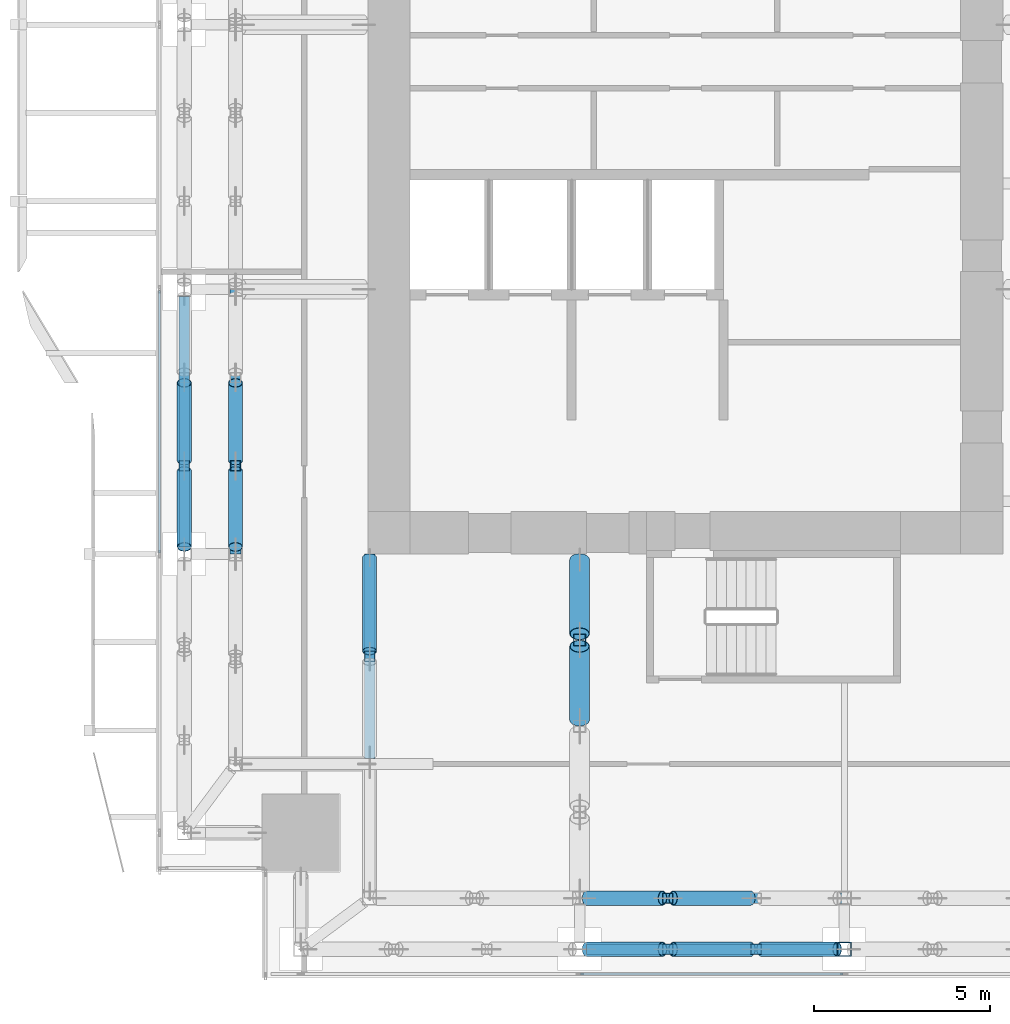
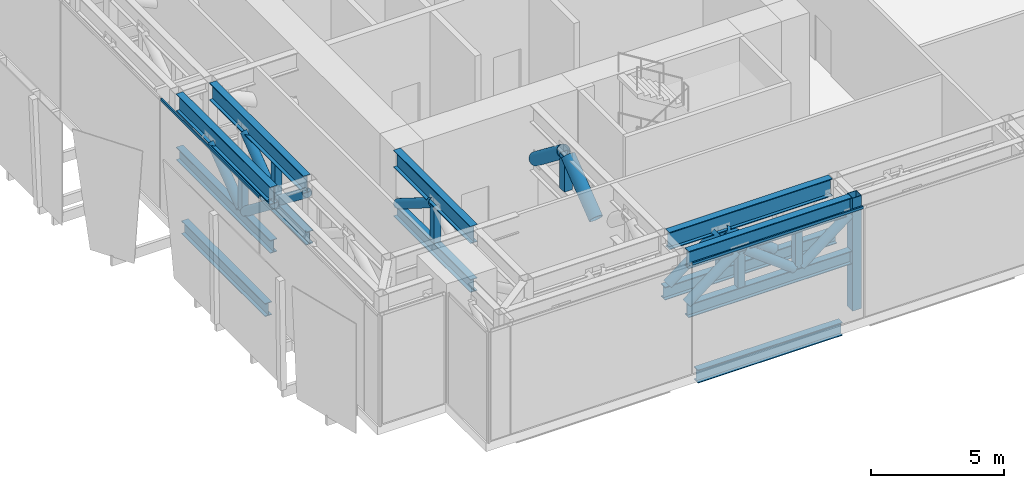
# One storey, part 4 of 39: 32 members, 2 beams, 2 elements without a shape of their own.
"""IFC4 building model written with IfcOpenShell, lengths in metres."""

from ifc_helpers import new_model, si_unit, direction, frame, origin, origin_2d, place, context, subcontext, project, spatial, hollow_rectangle, hollow_circle, i_section, extrude, source, transform, mapped, material, material_profile, profile_set, type_object, element, aggregate, save


model = new_model("IFC4")

# Units and contexts
model_context = context("Model", 3, precision=1e-05, world=origin(), true_north=direction((0.0, 1.0)))
body_context = subcontext(model_context, "Body", "Model", "MODEL_VIEW")
ifc_project = project(units=[si_unit("LENGTHUNIT", "METRE"), si_unit("AREAUNIT", "SQUARE_METRE"), si_unit("VOLUMEUNIT", "CUBIC_METRE"), si_unit("PLANEANGLEUNIT", "RADIAN"), si_unit("MASSUNIT", "GRAM", prefix="KILO")], contexts=[model_context])

# Site, building, storey
site_placement = place(None, origin())
site = spatial("IfcSite", under=ifc_project, at=site_placement, CompositionType="ELEMENT")
building_placement = place(site_placement, origin())
building = spatial("IfcBuilding", under=site, at=building_placement, Name="Khomas Fold Tower", CompositionType="ELEMENT")
storey_placement = place(building_placement, frame((0.0, 0.0, 96.0)))
storey = spatial("IfcBuildingStorey", under=building, at=storey_placement, Name="L20", CompositionType="ELEMENT", Elevation=96.0)

# Beams
ifc_material_1 = material(Name="Steel S355", Category="steel")
ifc_material_profile_1 = material_profile(ifc_material_1, i_section(OverallWidth=0.300048828125, OverallDepth=0.60009765625, WebThickness=0.015380859375, FlangeThickness=0.030029296875, at=origin_2d()), Name="HE 600 B")
ifc_profile_set_1 = profile_set([ifc_material_profile_1], Name="Steel S355")
beam_type = type_object("IfcBeamType", Name="HE 600 B spandrel SB1", PredefinedType="SPANDREL", material=ifc_profile_set_1)
shared_shape_1 = source(origin(), body_context, "Body", "SweptSolid", [
    extrude(i_section(OverallWidth=0.300048828125, OverallDepth=0.60009765625, WebThickness=0.015380859375, FlangeThickness=0.030029296875, at=origin_2d()), origin(), (0.0, 0.0, 1.0), 6.2998046875),
])
for number, where, z_axis, x_axis, name in (
    (1, (12.60009765625, 0.800048828125, -0.699951171875), (1.0, 0.0, 0.0), (0.0, 1.0, 0.0), "SB1"),
    (2, (0.800048828125, 12.60009765625, -0.699951171875), (0.0, 1.0, 0.0), (-1.0, 0.0, 0.0), "SB1"),
):
    element("IfcBeam", number, at=place(storey_placement, frame(where, z_axis=z_axis, x_axis=x_axis)), inside=storey, type_object=beam_type, Name=name, PredefinedType="SPANDREL", context=body_context, shape_type="MappedRepresentation", body=[
        mapped(shared_shape_1, transform((0.0, 0.0, 0.0))),
    ])

# Members
ifc_material_2 = material(Name="Steel S355", Category="steel")
ifc_material_profile_2 = material_profile(ifc_material_2, i_section(OverallWidth=0.300048828125, OverallDepth=0.60009765625, WebThickness=0.015380859375, FlangeThickness=0.030029296875, at=origin_2d()), Name="HE 600 B")
ifc_profile_set_2 = profile_set([ifc_material_profile_2], Name="Steel S355")
member_type_1 = type_object("IfcMemberType", Name="BELT TRUSS 1 BOTTOM CHORD HE 600 B", PredefinedType="CHORD", material=ifc_profile_set_2)
shared_shape_2 = source(origin(), body_context, "Body", "SweptSolid", [
    extrude(i_section(OverallWidth=0.300048828125, OverallDepth=0.60009765625, WebThickness=0.015380859375, FlangeThickness=0.030029296875, at=origin_2d()), origin(), (0.0, 0.0, 1.0), 7.5),
])
for number, where, z_axis, x_axis, name in (
    (3, (12.0, 2.25, 2.449951171875), (1.0, 0.0, 0.0), (0.0, 1.0, 0.0), "BT1-CB"),
    (4, (2.25, 19.5, 2.449951171875), (0.0, -1.0, 0.0), (1.0, 0.0, 0.0), "BT1-CB"),
):
    element("IfcMember", number, at=place(storey_placement, frame(where, z_axis=z_axis, x_axis=x_axis)), inside=storey, type_object=member_type_1, Name=name, PredefinedType="CHORD", context=body_context, shape_type="MappedRepresentation", body=[
        mapped(shared_shape_2, transform((0.0, 0.0, 0.0))),
    ])
ifc_material_3 = material(Name="Steel S355", Category="steel")
ifc_material_profile_3 = material_profile(ifc_material_3, hollow_rectangle(XDim=0.300048828125, YDim=0.300048828125, WallThickness=0.01611328125, at=origin_2d()), Name="SHS 300x300x16")
ifc_profile_set_3 = profile_set([ifc_material_profile_3], Name="Steel S355")
member_type_2 = type_object("IfcMemberType", Name="BELT TRUSS 1 MID POST SHS 300x300x16", PredefinedType="POST", material=ifc_profile_set_3)
shared_shape_3 = source(origin(), body_context, "Body", "SweptSolid", [
    extrude(hollow_rectangle(XDim=0.300048828125, YDim=0.300048828125, WallThickness=0.01611328125, at=origin_2d()), origin(), (0.0, 0.0, 1.0), 1.64990234375),
])
for number, where, z_axis, x_axis, name in (
    (5, (14.5, 0.800048828125, 2.75), (0.0, 0.0, 1.0), (1.0, 0.0, 0.0), "BT1-M"),
    (6, (17.0, 0.800048828125, 2.75), (0.0, 0.0, 1.0), (1.0, 0.0, 0.0), "BT1-M"),
    (7, (0.800048828125, 14.5, 2.75), (0.0, 0.0, 1.0), (1.0, 0.0, 0.0), "BT1-M"),
    (8, (14.5, 2.25, 2.75), (0.0, 0.0, 1.0), (1.0, 0.0, 0.0), "BT1-M"),
    (9, (2.25, 14.5, 2.75), (0.0, 0.0, 1.0), (1.0, 0.0, 0.0), "BT1-M"),
    (10, (6.050048828125, 9.10009765625, 2.75), (0.0, 0.0, 1.0), (1.0, 0.0, 0.0), "BT1-M"),
):
    element("IfcMember", number, at=place(storey_placement, frame(where, z_axis=z_axis, x_axis=x_axis)), inside=storey, type_object=member_type_2, Name=name, PredefinedType="POST", context=body_context, shape_type="MappedRepresentation", body=[
        mapped(shared_shape_3, transform((0.0, 0.0, 0.0))),
    ])
ifc_material_4 = material(Name="Steel S460M", Category="steel")
ifc_material_profile_4 = material_profile(ifc_material_4, i_section(OverallWidth=0.300048828125, OverallDepth=0.800048828125, WebThickness=0.017578125, FlangeThickness=0.032958984375, at=origin_2d()), Name="HE 800 B")
ifc_profile_set_4 = profile_set([ifc_material_profile_4], Name="Steel S460M")
member_type_3 = type_object("IfcMemberType", Name="BELT TRUSS 1 TOP CHORD HE 800 B", PredefinedType="CHORD", material=ifc_profile_set_4)
shared_shape_4 = source(origin(), body_context, "Body", "SweptSolid", [
    extrude(i_section(OverallWidth=0.300048828125, OverallDepth=0.800048828125, WebThickness=0.017578125, FlangeThickness=0.032958984375, at=origin_2d()), origin(), (0.0, 0.0, 1.0), 7.10009765625),
])
for number, where, z_axis, x_axis, name in (
    (11, (12.199951171875, 0.800048828125, 4.800048828125), (1.0, 0.0, 0.0), (0.0, 1.0, 0.0), "BT1-CT"),
    (12, (0.800048828125, 19.300048828125, 4.800048828125), (0.0, -1.0, 0.0), (1.0, 0.0, 0.0), "BT1-CT"),
    (13, (12.199951171875, 2.25, 4.800048828125), (1.0, 0.0, 0.0), (0.0, 1.0, 0.0), "BT1-CT"),
    (14, (2.25, 19.300048828125, 4.800048828125), (0.0, -1.0, 0.0), (1.0, 0.0, 0.0), "BT1-CT"),
):
    element("IfcMember", number, at=place(storey_placement, frame(where, z_axis=z_axis, x_axis=x_axis)), inside=storey, type_object=member_type_3, Name=name, PredefinedType="CHORD", context=body_context, shape_type="MappedRepresentation", body=[
        mapped(shared_shape_4, transform((0.0, 0.0, 0.0))),
    ])
shared_shape_5 = source(origin(), body_context, "Body", "SweptSolid", [
    extrude(i_section(OverallWidth=0.300048828125, OverallDepth=0.60009765625, WebThickness=0.015380859375, FlangeThickness=0.030029296875, at=origin_2d()), origin(), (0.0, 0.0, 1.0), 7.10009765625),
])
for number, where, z_axis, x_axis, name in (
    (15, (12.199951171875, 0.800048828125, 2.449951171875), (1.0, 0.0, 0.0), (0.0, 1.0, 0.0), "BT1-CB"),
    (16, (0.800048828125, 19.300048828125, 2.449951171875), (0.0, -1.0, 0.0), (1.0, 0.0, 0.0), "BT1-CB"),
):
    element("IfcMember", number, at=place(storey_placement, frame(where, z_axis=z_axis, x_axis=x_axis)), inside=storey, type_object=member_type_1, Name=name, PredefinedType="CHORD", context=body_context, shape_type="MappedRepresentation", body=[
        mapped(shared_shape_5, transform((0.0, 0.0, 0.0))),
    ])
ifc_material_5 = material(Name="Steel S355", Category="steel")
ifc_material_profile_5 = material_profile(ifc_material_5, hollow_circle(Radius=0.203125, WallThickness=0.01611328125, at=origin_2d()), Name="CHS 406.4x16")
ifc_profile_set_5 = profile_set([ifc_material_profile_5], Name="Steel S355")
member_type_4 = type_object("IfcMemberType", Name="BELT TRUSS 1 DIAGONAL CHS 406.4x16", PredefinedType="BRACE", material=ifc_profile_set_5)
shared_shape_6 = source(origin(), body_context, "Body", "SweptSolid", [
    extrude(hollow_circle(Radius=0.203125, WallThickness=0.01611328125, at=origin_2d()), origin(), (0.0, 0.0, 1.0), 2.71630859375),
])
for number, where, z_axis, x_axis, name in (
    (17, (12.199951171875, 0.800048828125, 2.7451171875), (0.791563625226, 0.0, 0.611086759159), (0.0, 1.0, 0.0), "BT1-D"),
    (18, (17.14990234375, 0.800048828125, 2.7451171875), (0.791563625226, 0.0, 0.611086759159), (0.0, 1.0, 0.0), "BT1-D"),
    (19, (0.800048828125, 14.35009765625, 2.7451171875), (0.0, -0.791563625226, 0.611086759159), (1.0, 0.0, 0.0), "BT1-D"),
    (20, (12.199951171875, 2.25, 2.7451171875), (0.791563625226, 0.0, 0.611086759159), (0.0, 1.0, 0.0), "BT1-D"),
    (21, (2.25, 14.35009765625, 2.7451171875), (0.0, -0.791563625226, 0.611086759159), (1.0, 0.0, 0.0), "BT1-D"),
):
    element("IfcMember", number, at=place(storey_placement, frame(where, z_axis=z_axis, x_axis=x_axis)), inside=storey, type_object=member_type_4, Name=name, PredefinedType="BRACE", context=body_context, shape_type="MappedRepresentation", body=[
        mapped(shared_shape_6, transform((0.0, 0.0, 0.0))),
    ])
shared_shape_7 = source(origin(), body_context, "Body", "SweptSolid", [
    extrude(hollow_circle(Radius=0.203125, WallThickness=0.01611328125, at=origin_2d()), origin(), (0.0, 0.0, 1.0), 2.756103515625),
])
for number, where, z_axis, x_axis, name in (
    (22, (14.64990234375, 0.800048828125, 4.405029296875), (0.798296022167, 0.0, -0.602265274602), (0.0, 1.0, 0.0), "BT1-D"),
    (23, (0.800048828125, 16.85009765625, 4.405029296875), (0.0, -0.798296022167, -0.602265274602), (1.0, 0.0, 0.0), "BT1-D"),
    (24, (14.64990234375, 2.25, 4.405029296875), (0.798296022167, 0.0, -0.602265274602), (0.0, 1.0, 0.0), "BT1-D"),
    (25, (2.25, 16.85009765625, 4.405029296875), (0.0, -0.798296022167, -0.602265274602), (1.0, 0.0, 0.0), "BT1-D"),
):
    element("IfcMember", number, at=place(storey_placement, frame(where, z_axis=z_axis, x_axis=x_axis)), inside=storey, type_object=member_type_4, Name=name, PredefinedType="BRACE", context=body_context, shape_type="MappedRepresentation", body=[
        mapped(shared_shape_7, transform((0.0, 0.0, 0.0))),
    ])
shared_shape_8 = source(origin(), body_context, "Body", "SweptSolid", [
    extrude(i_section(OverallWidth=0.300048828125, OverallDepth=0.60009765625, WebThickness=0.015380859375, FlangeThickness=0.030029296875, at=origin_2d()), origin(), (0.0, 0.0, 1.0), 5.800048828125),
])
member_1_placement = place(storey_placement, frame((6.050048828125, 6.199951171875, 2.449951171875), z_axis=(0.0, 1.0, 0.0), x_axis=(-1.0, 0.0, 0.0)))
element("IfcMember", 26, at=member_1_placement, inside=storey, type_object=member_type_1, Name="BT1-CB", PredefinedType="CHORD", context=body_context, shape_type="MappedRepresentation", body=[
    mapped(shared_shape_8, transform((0.0, 0.0, 0.0))),
])
shared_shape_9 = source(origin(), body_context, "Body", "SweptSolid", [
    extrude(i_section(OverallWidth=0.300048828125, OverallDepth=0.800048828125, WebThickness=0.017578125, FlangeThickness=0.032958984375, at=origin_2d()), origin(), (0.0, 0.0, 1.0), 5.800048828125),
])
member_2_placement = place(storey_placement, frame((6.050048828125, 6.199951171875, 4.800048828125), z_axis=(0.0, 1.0, 0.0), x_axis=(-1.0, 0.0, 0.0)))
element("IfcMember", 27, at=member_2_placement, inside=storey, type_object=member_type_3, Name="BT1-CT", PredefinedType="CHORD", context=body_context, shape_type="MappedRepresentation", body=[
    mapped(shared_shape_9, transform((0.0, 0.0, 0.0))),
])
shared_shape_10 = source(origin(), body_context, "Body", "SweptSolid", [
    extrude(hollow_circle(Radius=0.203125, WallThickness=0.01611328125, at=origin_2d()), origin(), (0.0, 0.0, 1.0), 3.123046875),
])
member_3_placement = place(storey_placement, frame((6.050048828125, 9.25, 4.405029296875), z_axis=(0.0, 0.847065964698, -0.531487771685), x_axis=(-1.0, 0.0, 0.0)))
element("IfcMember", 28, at=member_3_placement, inside=storey, type_object=member_type_4, Name="BT1-D", PredefinedType="BRACE", context=body_context, shape_type="MappedRepresentation", body=[
    mapped(shared_shape_10, transform((0.0, 0.0, 0.0))),
])
ifc_material_6 = material(Name="Steel S460M", Category="steel")
ifc_material_profile_6 = material_profile(ifc_material_6, hollow_rectangle(XDim=0.39990234375, YDim=0.39990234375, WallThickness=0.02001953125, at=origin_2d()), Name="SHS 400x400x20")
ifc_profile_set_6 = profile_set([ifc_material_profile_6], Name="Steel S460M")
member_type_5 = type_object("IfcMemberType", Name="BELT TRUSS 1 COLUMN POST LONG SHS 400x400x20", PredefinedType="POST", material=ifc_profile_set_6)
shared_shape_11 = source(origin(), body_context, "Body", "SweptSolid", [
    extrude(hollow_rectangle(XDim=0.39990234375, YDim=0.39990234375, WallThickness=0.02001953125, at=origin_2d()), origin(), (0.0, 0.0, 1.0), 5.199951171875),
])
member_4_placement = place(storey_placement, frame((19.5, 0.800048828125, 0.0), z_axis=(0.0, 0.0, 1.0), x_axis=(1.0, 0.0, 0.0)))
element("IfcMember", 29, at=member_4_placement, inside=storey, type_object=member_type_5, Name="BT1-PL", PredefinedType="POST", context=body_context, shape_type="MappedRepresentation", body=[
    mapped(shared_shape_11, transform((0.0, 0.0, 0.0))),
])
ifc_material_7 = material(Name="Steel S355", Category="steel")
ifc_material_profile_7 = material_profile(ifc_material_7, hollow_rectangle(XDim=0.35009765625, YDim=0.35009765625, WallThickness=0.02001953125, at=origin_2d()), Name="SHS 350x350x20")
ifc_profile_set_7 = profile_set([ifc_material_profile_7], Name="Steel S355")
member_type_6 = type_object("IfcMemberType", Name="OUTRIGGER 1 MID POST SHS 350x350x20", PredefinedType="POST", material=ifc_profile_set_7)
shared_shape_12 = source(origin(), body_context, "Body", "SweptSolid", [
    extrude(hollow_rectangle(XDim=0.35009765625, YDim=0.35009765625, WallThickness=0.02001953125, at=origin_2d()), origin(), (0.0, 0.0, 1.0), 1.615966796875),
])
member_5_placement = place(storey_placement, frame((12.0, 9.5625, 2.77001953125), z_axis=(0.0, 0.0, 1.0), x_axis=(1.0, 0.0, 0.0)))
element("IfcMember", 30, at=member_5_placement, inside=storey, type_object=member_type_6, Name="OR1-M", PredefinedType="POST", context=body_context, shape_type="MappedRepresentation", body=[
    mapped(shared_shape_12, transform((0.0, 0.0, 0.0))),
])
ifc_material_8 = material(Name="Steel S355", Category="steel")
ifc_material_profile_8 = material_profile(ifc_material_8, hollow_circle(Radius=0.279541015625, WallThickness=0.01611328125, at=origin_2d()), Name="CHS 559x16")
ifc_profile_set_8 = profile_set([ifc_material_profile_8], Name="Steel S355")
member_type_7 = type_object("IfcMemberType", Name="OUTRIGGER 1 DIAGONAL CHS 559x16", PredefinedType="BRACE", material=ifc_profile_set_8)
shared_shape_13 = source(origin(), body_context, "Body", "SweptSolid", [
    extrude(hollow_circle(Radius=0.279541015625, WallThickness=0.01611328125, at=origin_2d()), origin(), (0.0, 0.0, 1.0), 2.656005859375),
])
member_6_placement = place(storey_placement, frame((12.0, 11.837646484375, 2.764892578125), z_axis=(0.0, -0.790661987669, 0.612252906285), x_axis=(1.0, 0.0, 0.0)))
element("IfcMember", 31, at=member_6_placement, inside=storey, type_object=member_type_7, Name="OR1-D", PredefinedType="BRACE", context=body_context, shape_type="MappedRepresentation", body=[
    mapped(shared_shape_13, transform((0.0, 0.0, 0.0))),
])
shared_shape_14 = source(origin(), body_context, "Body", "SweptSolid", [
    extrude(hollow_circle(Radius=0.279541015625, WallThickness=0.01611328125, at=origin_2d()), origin(), (0.0, 0.0, 1.0), 2.64599609375),
])
member_7_placement = place(storey_placement, frame((12.0, 9.387451171875, 4.39111328125), z_axis=(0.0, -0.788860124161, -0.614572782109), x_axis=(1.0, 0.0, 0.0)))
element("IfcMember", 32, at=member_7_placement, inside=storey, type_object=member_type_7, Name="OR1-D", PredefinedType="BRACE", context=body_context, shape_type="MappedRepresentation", body=[
    mapped(shared_shape_14, transform((0.0, 0.0, 0.0))),
])

# Curtain wall, member
ifc_material_9 = material(Name="Aluminium framed double glazing", Category="aluminium")
curtain_wall_type = type_object("IfcCurtainWallType", Name="SK-Plant louvre wall CW4", PredefinedType="NOTDEFINED", material=ifc_material_9)
curtain_wall_1_placement = place(storey_placement, origin())
curtain_wall_1 = element("IfcCurtainWall", 33, at=curtain_wall_1_placement, inside=storey, type_object=curtain_wall_type, Name="CW4 run L20 00-0", PredefinedType="NOTDEFINED")
ifc_material_10 = material(Name="Aluminium", Category="aluminium")
ifc_material_profile_9 = material_profile(ifc_material_10, hollow_rectangle(XDim=0.06005859375, YDim=0.1201171875, WallThickness=0.00390625, at=origin_2d()), Name="SK-Plant louvre wall transom CW4-T")
ifc_profile_set_9 = profile_set([ifc_material_profile_9], Name="Aluminium")
member_type_8 = type_object("IfcMemberType", Name="SK-Plant louvre wall transom CW4-T", PredefinedType="USERDEFINED", material=ifc_profile_set_9)
shared_shape_15 = source(origin(), body_context, "Body", "SweptSolid", [
    extrude(hollow_rectangle(XDim=0.06005859375, YDim=0.1201171875, WallThickness=0.00390625, at=origin_2d()), origin(), (0.0, 0.0, 1.0), 7.43994140625),
])
member_8_placement = place(storey_placement, frame((12.030029296875, 0.10009765625, 5.0400390625), z_axis=(1.0, 0.0, 0.0), x_axis=(0.0, 1.0, 0.0)))
member_8 = element("IfcMember", 34, at=member_8_placement, type_object=member_type_8, Name="CW4 transom 3", ObjectType="TRANSOM", PredefinedType="USERDEFINED", context=body_context, shape_type="MappedRepresentation", body=[
    mapped(shared_shape_15, transform((0.0, 0.0, 0.0))),
])
aggregate(curtain_wall_1, [member_8])

curtain_wall_2_placement = place(storey_placement, origin())
curtain_wall_2 = element("IfcCurtainWall", 35, at=curtain_wall_2_placement, inside=storey, type_object=curtain_wall_type, Name="CW4 run L20 09-0", PredefinedType="NOTDEFINED")
member_9_placement = place(storey_placement, frame((0.10009765625, 19.469970703125, 5.0400390625), z_axis=(0.0, -1.0, 0.0), x_axis=(1.0, 0.0, 0.0)))
member_9 = element("IfcMember", 36, at=member_9_placement, type_object=member_type_8, Name="CW4 transom 6", ObjectType="TRANSOM", PredefinedType="USERDEFINED", context=body_context, shape_type="MappedRepresentation", body=[
    mapped(shared_shape_15, transform((0.0, 0.0, 0.0))),
])
aggregate(curtain_wall_2, [member_9])

save(model, "model.ifc")
